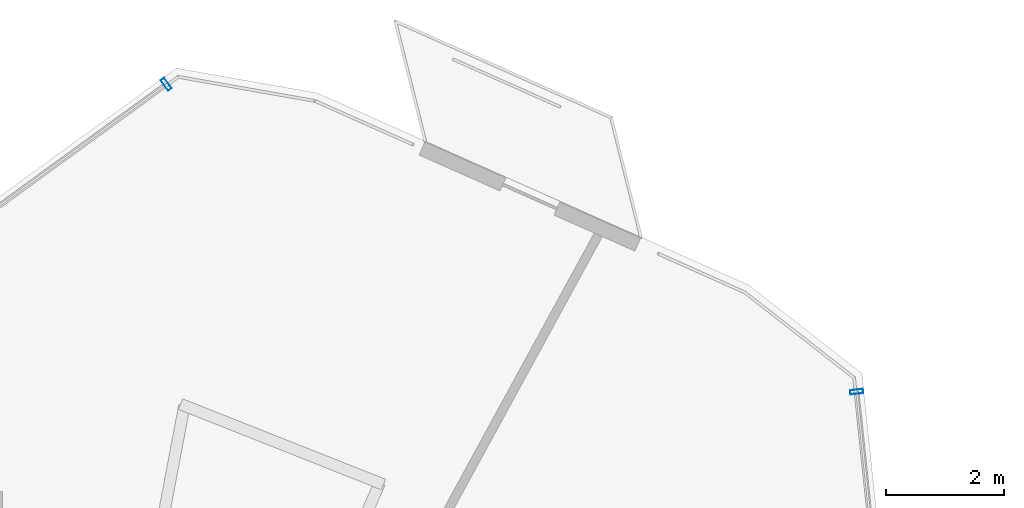
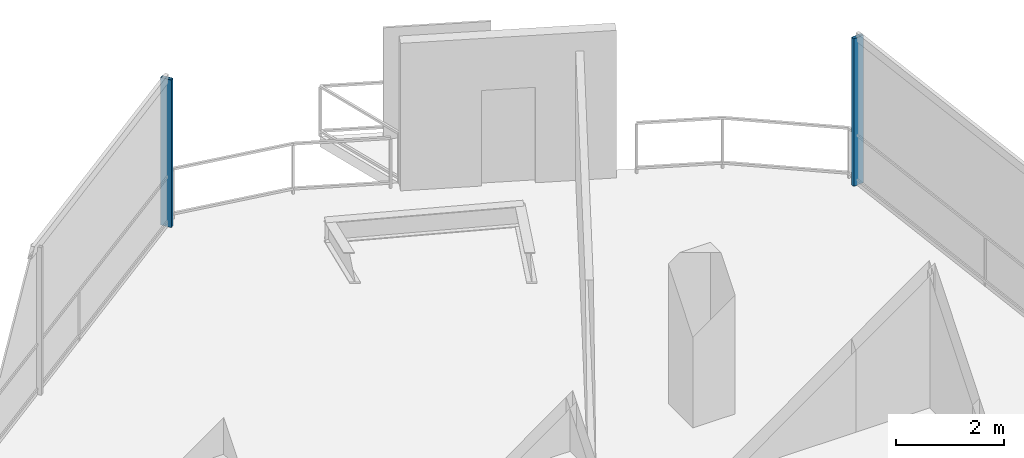
# One storey, part 14 of 20: 2 members, 2 elements without a shape of their own.
"""IFC4 building model written with IfcOpenShell, lengths in metres."""

from ifc_helpers import new_model, si_unit, direction, frame, origin, origin_2d, place, context, subcontext, project, spatial, hollow_rectangle, extrude, material, layer, layer_set, material_profile, profile_set, type_object, element, aggregate, save


model = new_model("IFC4")

# Units and contexts
model_context = context("Model", 3, precision=1e-05, world=origin(), true_north=direction((0.0, 1.0)))
body_context = subcontext(model_context, "Body", "Model", "MODEL_VIEW")
ifc_project = project(units=[si_unit("LENGTHUNIT", "METRE"), si_unit("AREAUNIT", "SQUARE_METRE"), si_unit("VOLUMEUNIT", "CUBIC_METRE"), si_unit("PLANEANGLEUNIT", "RADIAN"), si_unit("MASSUNIT", "GRAM", prefix="KILO")], contexts=[model_context])

# Site, building, storey
site_placement = place(None, origin())
site = spatial("IfcSite", under=ifc_project, at=site_placement, CompositionType="ELEMENT")
building_placement = place(site_placement, origin())
building = spatial("IfcBuilding", under=site, at=building_placement, Name="Qarnah Convention Tower", CompositionType="ELEMENT")
storey_placement = place(building_placement, frame((0.0, 0.0, 202.199951171875)))
storey = spatial("IfcBuildingStorey", under=building, at=storey_placement, Name="L54", CompositionType="ELEMENT", Elevation=202.199951171875)

# Curtain wall, member
ifc_material_1 = material(Name="Tempered Low-E dark glass", Category="glass")
ifc_layer = layer(ifc_material_1, 0.174072265625)
ifc_layer_set = layer_set([ifc_layer], Name="Tempered Low-E dark glass")
curtain_wall_type = type_object("IfcCurtainWallType", Name="CWS-04", PredefinedType="NOTDEFINED", material=ifc_layer_set)
curtain_wall_1_placement = place(storey_placement, origin())
curtain_wall_1 = element("IfcCurtainWall", 1, at=curtain_wall_1_placement, inside=storey, type_object=curtain_wall_type, Name="L54 unitised curtain wall CW-L54-F2", PredefinedType="NOTDEFINED")
ifc_material_2 = material(Name="Black anodised aluminium", Category="aluminium")
ifc_material_profile = material_profile(ifc_material_2, hollow_rectangle(XDim=0.074951171875, YDim=0.219970703125, WallThickness=0.0048828125, at=origin_2d()), Name="MUL-75X220")
ifc_profile_set = profile_set([ifc_material_profile], Name="Black anodised aluminium")
member_type = type_object("IfcMemberType", Name="MUL-T4", PredefinedType="MULLION", material=ifc_profile_set)
member_1_placement = place(storey_placement, frame((51.623046875, 42.68310546875, 0.0), z_axis=(0.0, 0.0, 1.0), x_axis=(0.104504856791, -0.994524376226, 0.0)))
member_1 = element("IfcMember", 2, at=member_1_placement, type_object=member_type, Name="CW-L54-F2 mullion 1", PredefinedType="MULLION", context=body_context, shape_type="SweptSolid", body=[
    extrude(hollow_rectangle(XDim=0.074951171875, YDim=0.219970703125, WallThickness=0.0048828125, at=origin_2d()), origin(), (0.0, 0.0, 1.0), 3.320068359375),
])
aggregate(curtain_wall_1, [member_1])

curtain_wall_2_placement = place(storey_placement, origin())
curtain_wall_2 = element("IfcCurtainWall", 3, at=curtain_wall_2_placement, inside=storey, type_object=curtain_wall_type, Name="L54 unitised curtain wall CW-L54-F3", PredefinedType="NOTDEFINED")
member_2_placement = place(storey_placement, frame((39.927978515625, 47.889892578125, 0.0), z_axis=(0.0, 0.0, 1.0), x_axis=(0.809004150179, 0.587802930405, 0.0)))
member_2 = element("IfcMember", 4, at=member_2_placement, type_object=member_type, Name="CW-L54-F3 mullion 6", PredefinedType="MULLION", context=body_context, shape_type="SweptSolid", body=[
    extrude(hollow_rectangle(XDim=0.074951171875, YDim=0.219970703125, WallThickness=0.0048828125, at=origin_2d()), origin(), (0.0, 0.0, 1.0), 3.320068359375),
])
aggregate(curtain_wall_2, [member_2])

save(model, "model.ifc")
